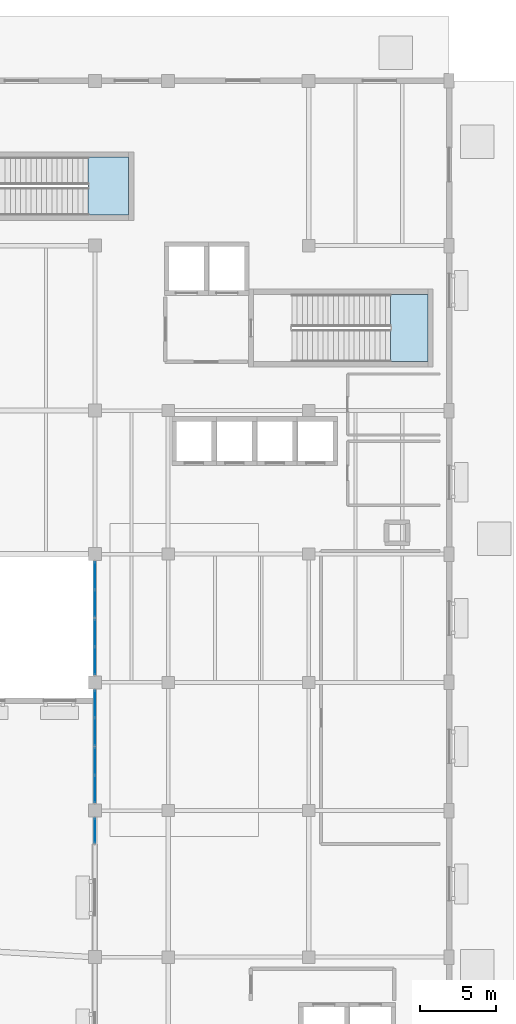
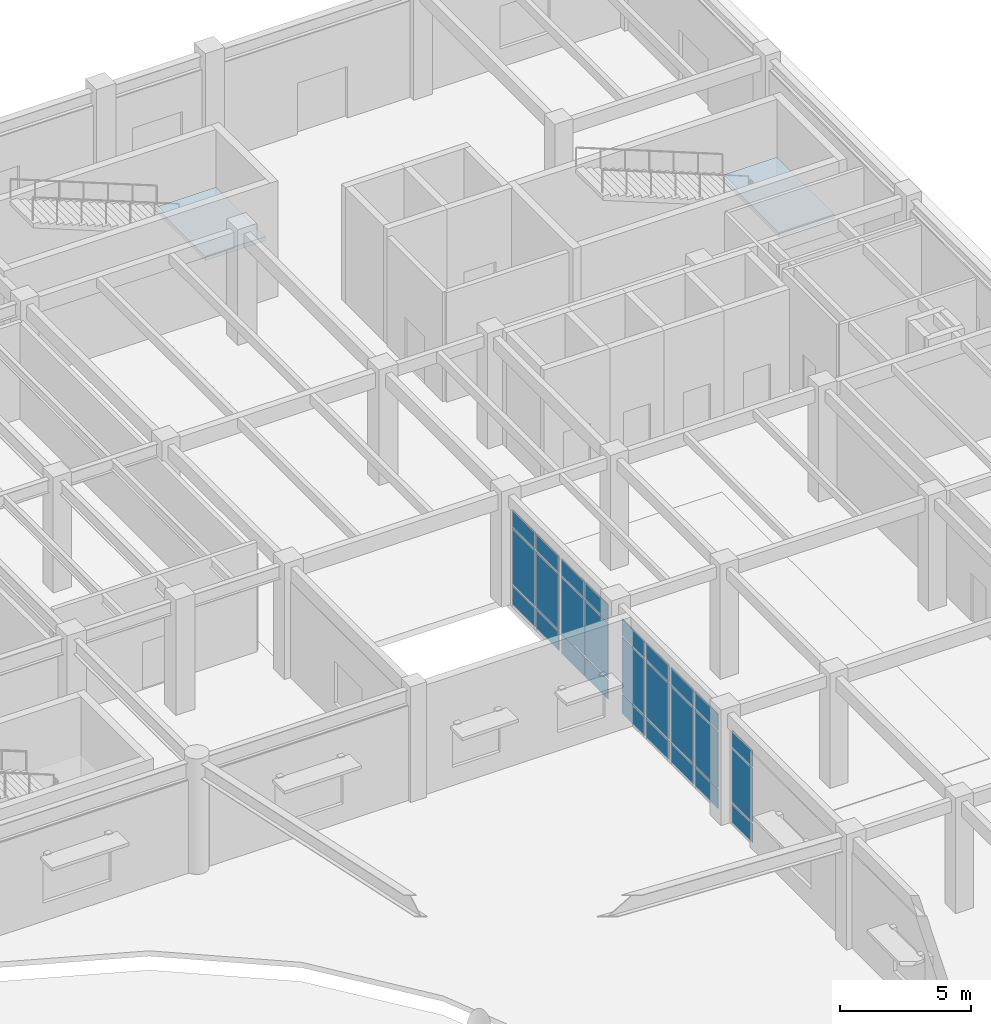
# One storey, part 27 of 54: 27 plates, 2 slabs, 7 elements without a shape of their own.
"""IFC4 building model written with IfcOpenShell, lengths in metres."""

import ifcopenshell
import ifcopenshell.guid

model = None  # the IFC model being written
_history = None  # IfcOwnerHistory: only IFC2X3 demands one
_inside = {}  # id of a spatial element -> (the spatial element, [elements in it])
_under = {}  # id of a project, library or spatial element -> (it, [spatial elements below it])
_declared = {}  # id of a project -> (the project, [libraries it declares])
_typed = {}  # id of a type object -> (the type object, [elements of that type])
_made_of = {}  # id of a material, layer set ... -> (it, [elements and type objects made of it])


def new_model(schema):
    """Start an empty IFC model of exactly this schema.

    Asked for "IFC4X3", IfcOpenShell would pick the latest addendum, in which some entities
    have other attributes; the version numbers below select the first issue.
    IFC2X3 requires an IfcOwnerHistory on every rooted entity: one is made here for all.
    """
    global model, _history
    if schema == "IFC4X3":
        model = ifcopenshell.file(schema_version=(4, 3, 0, 0))
    else:
        model = ifcopenshell.file(schema=schema)
    _inside.clear()
    _under.clear()
    _declared.clear()
    _typed.clear()
    _made_of.clear()
    _history = None
    if model.schema == "IFC2X3":
        org = make("IfcOrganization", Name="unknown")
        user = make(
            "IfcPersonAndOrganization",
            ThePerson=make("IfcPerson", FamilyName="unknown"),
            TheOrganization=org,
        )
        app = make(
            "IfcApplication",
            ApplicationDeveloper=org,
            Version="unknown",
            ApplicationFullName="unknown",
            ApplicationIdentifier="unknown",
        )
        _history = make(
            "IfcOwnerHistory",
            OwningUser=user,
            OwningApplication=app,
            ChangeAction="ADDED",
            CreationDate=0,
        )
    return model


def make(cls, **values):
    """One entity of the class cls with the attributes given. An attribute that is None is left unset."""
    return model.create_entity(
        cls, **{name: value for name, value in values.items() if value is not None}
    )


def rooted(cls, **values):
    """An entity with a GlobalId (a new one), such as an element, a storey or a relation."""
    return make(cls, GlobalId=ifcopenshell.guid.new(), OwnerHistory=_history, **values)


def si_unit(unit_type, name, prefix=None):
    """IfcSIUnit, for example si_unit("LENGTHUNIT", "METRE", prefix="MILLI")."""
    return make("IfcSIUnit", UnitType=unit_type, Prefix=prefix, Name=name)


def assignment(units):
    """IfcUnitAssignment: the units of a project."""
    return None if units is None else make("IfcUnitAssignment", Units=units)


def point(xyz):
    """IfcCartesianPoint."""
    return None if xyz is None else make("IfcCartesianPoint", Coordinates=xyz)


def direction(xyz):
    """IfcDirection."""
    return None if xyz is None else make("IfcDirection", DirectionRatios=xyz)


def frame(location, z_axis=None, x_axis=None):
    """IfcAxis2Placement3D, a coordinate frame: its origin and axes. An axis left out is left unset."""
    return make(
        "IfcAxis2Placement3D",
        Location=point(location),
        Axis=direction(z_axis),
        RefDirection=direction(x_axis),
    )


def frame_2d(location, x_axis=None):
    """IfcAxis2Placement2D, a coordinate frame in the plane: its origin and x axis."""
    return make(
        "IfcAxis2Placement2D", Location=point(location), RefDirection=direction(x_axis)
    )


def origin():
    """The frame at (0, 0, 0) with its axes left unset."""
    return frame((0.0, 0.0, 0.0))


def origin_2d():
    """The frame at (0, 0) in the plane with its x axis left unset."""
    return frame_2d((0.0, 0.0))


def place(relative_to, where):
    """IfcLocalPlacement: puts the frame where relative to a parent placement (None: the world)."""
    return make(
        "IfcLocalPlacement", PlacementRelTo=relative_to, RelativePlacement=where
    )


def context(
    kind, dimensions, precision=None, world=None, true_north=None, identifier=None
):
    """IfcGeometricRepresentationContext, for example the 3D "Model" context."""
    return make(
        "IfcGeometricRepresentationContext",
        ContextIdentifier=identifier,
        ContextType=kind,
        CoordinateSpaceDimension=dimensions,
        Precision=precision,
        WorldCoordinateSystem=world,
        TrueNorth=true_north,
    )


def subcontext(parent, identifier, kind, view, scale=None):
    """IfcGeometricRepresentationSubContext, for example "Body" below "Model"."""
    return make(
        "IfcGeometricRepresentationSubContext",
        ContextIdentifier=identifier,
        ContextType=kind,
        ParentContext=parent,
        TargetScale=scale,
        TargetView=view,
    )


def project(units=None, contexts=None):
    """IfcProject with its units and contexts."""
    return rooted(
        "IfcProject",
        Name="project",
        RepresentationContexts=contexts,
        UnitsInContext=assignment(units),
    )


def spatial(cls, under=None, at=None, **own):
    """A site, building, storey or space (cls), placed at a placement, below another one or the project."""
    s = rooted(cls, ObjectPlacement=at, **own)
    if under is not None:
        _under.setdefault(under.id(), (under, []))[1].append(s)
    return s


def polyline(points):
    """IfcPolyline through the points."""
    return make("IfcPolyline", Points=[point(p) for p in points])


def profile(cls, at=None, kind="AREA", **sizes):
    """A parametric profile (cls). Its sizes go by their IFC names, for example OverallWidth=200.0."""
    return make(cls, ProfileType=kind, Position=at, **sizes)


def rectangle(**sizes):
    """IfcRectangleProfileDef."""
    return profile("IfcRectangleProfileDef", **sizes)


def outline(outer, holes=None, kind="AREA"):
    """IfcArbitraryClosedProfileDef: a profile drawn as a closed curve; with holes, ...WithVoids."""
    if holes is None:
        return make("IfcArbitraryClosedProfileDef", ProfileType=kind, OuterCurve=outer)
    return make(
        "IfcArbitraryProfileDefWithVoids",
        ProfileType=kind,
        OuterCurve=outer,
        InnerCurves=holes,
    )


def extrude(swept, where, along, depth):
    """IfcExtrudedAreaSolid: the profile swept, set in the frame where, extruded along a direction by depth."""
    return make(
        "IfcExtrudedAreaSolid",
        SweptArea=swept,
        Position=where,
        ExtrudedDirection=direction(along),
        Depth=depth,
    )


def shape(context_of_items, identifier, shape_type, items):
    """IfcShapeRepresentation: the items that make up one representation, for example the "Body"."""
    return make(
        "IfcShapeRepresentation",
        ContextOfItems=context_of_items,
        RepresentationIdentifier=identifier,
        RepresentationType=shape_type,
        Items=items,
    )


def material(Name=None, Category=None):
    """IfcMaterial."""
    return make("IfcMaterial", Name=Name, Category=Category)


def layer(
    of_material, thickness, ventilated=None, Name=None, Category=None, Priority=None
):
    """IfcMaterialLayer: one layer of a wall or slab, of a material (None: an air gap)."""
    return make(
        "IfcMaterialLayer",
        Material=of_material,
        LayerThickness=thickness,
        IsVentilated=ventilated,
        Name=Name,
        Category=Category,
        Priority=Priority,
    )


def layer_set(layers, Name=None):
    """IfcMaterialLayerSet."""
    return make("IfcMaterialLayerSet", MaterialLayers=layers, LayerSetName=Name)


def made_of(thing, what):
    """Note that an element or type object is made of a material, layer set ...; save() writes the relation."""
    if what is not None:
        _made_of.setdefault(what.id(), (what, []))[1].append(thing)
    return thing


def type_object(cls, material=None, **own):
    """A type object (cls), such as IfcWallType, which elements share."""
    return made_of(rooted(cls, **own), material)


def element(
    cls,
    number,
    at=None,
    inside=None,
    cuts=None,
    type_object=None,
    material=None,
    context=None,
    identifier="Body",
    shape_type=None,
    held_by="IfcProductDefinitionShape",
    body=None,
    shapes=None,
    **own,
):
    """One element of the class cls, such as IfcWall. Its Tag is "e" and its number.

    at: its placement. inside: the storey or other place that contains it. cuts: it is an
    opening in that element (IfcRelVoidsElement). A single representation is given by context,
    identifier, shape_type and body (its items); several are given by shapes. held_by: the class
    of the entity that holds the representations. save() writes the other relations.
    """
    e = rooted(cls, Tag="e%d" % number, ObjectPlacement=at, **own)
    if body is not None:
        shapes = [shape(context, identifier, shape_type, body)]
    if shapes is not None:
        e.Representation = make(held_by, Representations=shapes)
    if inside is not None:
        _inside.setdefault(inside.id(), (inside, []))[1].append(e)
    if cuts is not None:
        rooted(
            "IfcRelVoidsElement", RelatingBuildingElement=cuts, RelatedOpeningElement=e
        )
    if type_object is not None:
        _typed.setdefault(type_object.id(), (type_object, []))[1].append(e)
    return made_of(e, material)


def aggregate(whole, parts):
    """IfcRelAggregates: a whole, such as a stair, and the parts it consists of."""
    return rooted("IfcRelAggregates", RelatingObject=whole, RelatedObjects=parts)


def save(model, path):
    """Write the relations noted so far, then the file.

    IfcRelAggregates (storeys below a building ...), IfcRelContainedInSpatialStructure (elements
    in a storey), IfcRelDefinesByType, IfcRelAssociatesMaterial and IfcRelDeclares: one each for
    every whole, place, type object, material and project.
    """
    for whole, parts in _under.values():
        aggregate(whole, parts)
    for where, things in _inside.values():
        rooted(
            "IfcRelContainedInSpatialStructure",
            RelatedElements=things,
            RelatingStructure=where,
        )
    for kind, things in _typed.values():
        rooted("IfcRelDefinesByType", RelatedObjects=things, RelatingType=kind)
    for what, things in _made_of.values():
        rooted("IfcRelAssociatesMaterial", RelatedObjects=things, RelatingMaterial=what)
    for by, libraries in _declared.values():
        rooted("IfcRelDeclares", RelatingContext=by, RelatedDefinitions=libraries)
    model.write(path)


model = new_model("IFC4")

# Units and contexts
model_context = context("Model", 3, precision=1e-05, world=origin(), true_north=direction((0.0, 1.0)))
body_context = subcontext(model_context, "Body", "Model", "MODEL_VIEW")
ifc_project = project(units=[si_unit("LENGTHUNIT", "METRE"), si_unit("AREAUNIT", "SQUARE_METRE"), si_unit("VOLUMEUNIT", "CUBIC_METRE"), si_unit("PLANEANGLEUNIT", "RADIAN"), si_unit("MASSUNIT", "GRAM", prefix="KILO")], contexts=[model_context])

# Site, building, storey
site_placement = place(None, origin())
site = spatial("IfcSite", under=ifc_project, at=site_placement, CompositionType="ELEMENT")
building_placement = place(site_placement, origin())
building = spatial("IfcBuilding", under=site, at=building_placement, Name="Veldera Park Congress Hotel", CompositionType="ELEMENT")
storey_placement = place(building_placement, origin())
storey = spatial("IfcBuildingStorey", under=building, at=storey_placement, Name="L00", CompositionType="ELEMENT", Elevation=0.0)

# Curtain wall, plates
ifc_material_1 = material(Name="Low-E Triple Insulating Glass Unit (SHGC 0.22)", Category="glass")
curtain_wall_type = type_object("IfcCurtainWallType", Name="CW-HTL", PredefinedType="NOTDEFINED", material=ifc_material_1)
curtain_wall_1_placement = place(storey_placement, origin())
curtain_wall_1 = element("IfcCurtainWall", 1, at=curtain_wall_1_placement, inside=storey, type_object=curtain_wall_type, Name="L00 Curtain Wall CW3-HTLW-L00-085", PredefinedType="NOTDEFINED")
ifc_layer_1 = layer(ifc_material_1, 0.028076171875)
ifc_layer_set_1 = layer_set([ifc_layer_1], Name="Low-E Triple Insulating Glass Unit (SHGC 0.22)")
plate_type = type_object("IfcPlateType", Name="CWP-IGU28", PredefinedType="CURTAIN_PANEL", material=ifc_layer_set_1)
plate_1_placement = place(storey_placement, frame((60.800048828125, 25.586181640625, 0.0751953125), z_axis=(0.0, 0.0, 1.0), x_axis=(0.0, -1.0, 0.0)))
plate_1 = element("IfcPlate", 2, at=plate_1_placement, type_object=plate_type, Name="CW-HTL panel 1.1", PredefinedType="CURTAIN_PANEL", context=body_context, shape_type="SweptSolid", body=[
    extrude(rectangle(XDim=1.74755859375, YDim=0.028076171875, at=origin_2d()), origin(), (0.0, 0.0, 1.0), 0.887451171875),
])
plate_2_placement = place(storey_placement, frame((60.800048828125, 25.586181640625, 1.037353515625), z_axis=(0.0, 0.0, 1.0), x_axis=(0.0, -1.0, 0.0)))
plate_2 = element("IfcPlate", 3, at=plate_2_placement, type_object=plate_type, Name="CW-HTL panel 1.2", PredefinedType="CURTAIN_PANEL", context=body_context, shape_type="SweptSolid", body=[
    extrude(rectangle(XDim=1.74755859375, YDim=0.028076171875, at=origin_2d()), origin(), (0.0, 0.0, 1.0), 2.60009765625),
])
plate_3_placement = place(storey_placement, frame((60.800048828125, 25.586181640625, 3.71240234375), z_axis=(0.0, 0.0, 1.0), x_axis=(0.0, -1.0, 0.0)))
plate_3 = element("IfcPlate", 4, at=plate_3_placement, type_object=plate_type, Name="CW-HTL panel 1.3", PredefinedType="CURTAIN_PANEL", context=body_context, shape_type="SweptSolid", body=[
    extrude(rectangle(XDim=1.74755859375, YDim=0.028076171875, at=origin_2d()), origin(), (0.0, 0.0, 1.0), 0.78759765625),
])
plate_4_placement = place(storey_placement, frame((60.800048828125, 23.763671875, 0.0751953125), z_axis=(0.0, 0.0, 1.0), x_axis=(0.0, -1.0, 0.0)))
plate_4 = element("IfcPlate", 5, at=plate_4_placement, type_object=plate_type, Name="CW-HTL panel 2.1", PredefinedType="CURTAIN_PANEL", context=body_context, shape_type="SweptSolid", body=[
    extrude(rectangle(XDim=1.74755859375, YDim=0.028076171875, at=origin_2d()), origin(), (0.0, 0.0, 1.0), 0.887451171875),
])
plate_5_placement = place(storey_placement, frame((60.800048828125, 23.763671875, 1.037353515625), z_axis=(0.0, 0.0, 1.0), x_axis=(0.0, -1.0, 0.0)))
plate_5 = element("IfcPlate", 6, at=plate_5_placement, type_object=plate_type, Name="CW-HTL panel 2.2", PredefinedType="CURTAIN_PANEL", context=body_context, shape_type="SweptSolid", body=[
    extrude(rectangle(XDim=1.74755859375, YDim=0.028076171875, at=origin_2d()), origin(), (0.0, 0.0, 1.0), 2.60009765625),
])
plate_6_placement = place(storey_placement, frame((60.800048828125, 23.763671875, 3.71240234375), z_axis=(0.0, 0.0, 1.0), x_axis=(0.0, -1.0, 0.0)))
plate_6 = element("IfcPlate", 7, at=plate_6_placement, type_object=plate_type, Name="CW-HTL panel 2.3", PredefinedType="CURTAIN_PANEL", context=body_context, shape_type="SweptSolid", body=[
    extrude(rectangle(XDim=1.74755859375, YDim=0.028076171875, at=origin_2d()), origin(), (0.0, 0.0, 1.0), 0.78759765625),
])
aggregate(curtain_wall_1, [plate_1, plate_2, plate_3, plate_4, plate_5, plate_6])

curtain_wall_2_placement = place(storey_placement, origin())
curtain_wall_2 = element("IfcCurtainWall", 8, at=curtain_wall_2_placement, inside=storey, type_object=curtain_wall_type, Name="L00 Curtain Wall CW3-HTLW-L00-086", PredefinedType="NOTDEFINED")
plate_7_placement = place(storey_placement, frame((60.800048828125, 21.836181640625, 0.0751953125), z_axis=(0.0, 0.0, 1.0), x_axis=(0.0, -1.0, 0.0)))
plate_7 = element("IfcPlate", 9, at=plate_7_placement, type_object=plate_type, Name="CW-HTL panel 1.1", PredefinedType="CURTAIN_PANEL", context=body_context, shape_type="SweptSolid", body=[
    extrude(rectangle(XDim=1.74755859375, YDim=0.028076171875, at=origin_2d()), origin(), (0.0, 0.0, 1.0), 0.887451171875),
])
plate_8_placement = place(storey_placement, frame((60.800048828125, 21.836181640625, 1.037353515625), z_axis=(0.0, 0.0, 1.0), x_axis=(0.0, -1.0, 0.0)))
plate_8 = element("IfcPlate", 10, at=plate_8_placement, type_object=plate_type, Name="CW-HTL panel 1.2", PredefinedType="CURTAIN_PANEL", context=body_context, shape_type="SweptSolid", body=[
    extrude(rectangle(XDim=1.74755859375, YDim=0.028076171875, at=origin_2d()), origin(), (0.0, 0.0, 1.0), 2.60009765625),
])
plate_9_placement = place(storey_placement, frame((60.800048828125, 21.836181640625, 3.71240234375), z_axis=(0.0, 0.0, 1.0), x_axis=(0.0, -1.0, 0.0)))
plate_9 = element("IfcPlate", 11, at=plate_9_placement, type_object=plate_type, Name="CW-HTL panel 1.3", PredefinedType="CURTAIN_PANEL", context=body_context, shape_type="SweptSolid", body=[
    extrude(rectangle(XDim=1.74755859375, YDim=0.028076171875, at=origin_2d()), origin(), (0.0, 0.0, 1.0), 0.78759765625),
])
plate_10_placement = place(storey_placement, frame((60.800048828125, 20.013671875, 0.0751953125), z_axis=(0.0, 0.0, 1.0), x_axis=(0.0, -1.0, 0.0)))
plate_10 = element("IfcPlate", 12, at=plate_10_placement, type_object=plate_type, Name="CW-HTL panel 2.1", PredefinedType="CURTAIN_PANEL", context=body_context, shape_type="SweptSolid", body=[
    extrude(rectangle(XDim=1.74755859375, YDim=0.028076171875, at=origin_2d()), origin(), (0.0, 0.0, 1.0), 0.887451171875),
])
plate_11_placement = place(storey_placement, frame((60.800048828125, 20.013671875, 1.037353515625), z_axis=(0.0, 0.0, 1.0), x_axis=(0.0, -1.0, 0.0)))
plate_11 = element("IfcPlate", 13, at=plate_11_placement, type_object=plate_type, Name="CW-HTL panel 2.2", PredefinedType="CURTAIN_PANEL", context=body_context, shape_type="SweptSolid", body=[
    extrude(rectangle(XDim=1.74755859375, YDim=0.028076171875, at=origin_2d()), origin(), (0.0, 0.0, 1.0), 2.60009765625),
])
plate_12_placement = place(storey_placement, frame((60.800048828125, 20.013671875, 3.71240234375), z_axis=(0.0, 0.0, 1.0), x_axis=(0.0, -1.0, 0.0)))
plate_12 = element("IfcPlate", 14, at=plate_12_placement, type_object=plate_type, Name="CW-HTL panel 2.3", PredefinedType="CURTAIN_PANEL", context=body_context, shape_type="SweptSolid", body=[
    extrude(rectangle(XDim=1.74755859375, YDim=0.028076171875, at=origin_2d()), origin(), (0.0, 0.0, 1.0), 0.78759765625),
])
aggregate(curtain_wall_2, [plate_7, plate_8, plate_9, plate_10, plate_11, plate_12])

curtain_wall_3_placement = place(storey_placement, origin())
curtain_wall_3 = element("IfcCurtainWall", 15, at=curtain_wall_3_placement, inside=storey, type_object=curtain_wall_type, Name="L00 Curtain Wall CW3-HTLW-L00-087", PredefinedType="NOTDEFINED")
plate_13_placement = place(storey_placement, frame((60.800048828125, 17.186279296875, 0.0751953125), z_axis=(0.0, 0.0, 1.0), x_axis=(0.0, -1.0, 0.0)))
plate_13 = element("IfcPlate", 16, at=plate_13_placement, type_object=plate_type, Name="CW-HTL panel 1.1", PredefinedType="CURTAIN_PANEL", context=body_context, shape_type="SweptSolid", body=[
    extrude(rectangle(XDim=1.74755859375, YDim=0.028076171875, at=origin_2d()), origin(), (0.0, 0.0, 1.0), 0.887451171875),
])
plate_14_placement = place(storey_placement, frame((60.800048828125, 17.186279296875, 1.037353515625), z_axis=(0.0, 0.0, 1.0), x_axis=(0.0, -1.0, 0.0)))
plate_14 = element("IfcPlate", 17, at=plate_14_placement, type_object=plate_type, Name="CW-HTL panel 1.2", PredefinedType="CURTAIN_PANEL", context=body_context, shape_type="SweptSolid", body=[
    extrude(rectangle(XDim=1.74755859375, YDim=0.028076171875, at=origin_2d()), origin(), (0.0, 0.0, 1.0), 2.60009765625),
])
plate_15_placement = place(storey_placement, frame((60.800048828125, 17.186279296875, 3.71240234375), z_axis=(0.0, 0.0, 1.0), x_axis=(0.0, -1.0, 0.0)))
plate_15 = element("IfcPlate", 18, at=plate_15_placement, type_object=plate_type, Name="CW-HTL panel 1.3", PredefinedType="CURTAIN_PANEL", context=body_context, shape_type="SweptSolid", body=[
    extrude(rectangle(XDim=1.74755859375, YDim=0.028076171875, at=origin_2d()), origin(), (0.0, 0.0, 1.0), 0.78759765625),
])
plate_16_placement = place(storey_placement, frame((60.800048828125, 15.36376953125, 0.0751953125), z_axis=(0.0, 0.0, 1.0), x_axis=(0.0, -1.0, 0.0)))
plate_16 = element("IfcPlate", 19, at=plate_16_placement, type_object=plate_type, Name="CW-HTL panel 2.1", PredefinedType="CURTAIN_PANEL", context=body_context, shape_type="SweptSolid", body=[
    extrude(rectangle(XDim=1.74755859375, YDim=0.028076171875, at=origin_2d()), origin(), (0.0, 0.0, 1.0), 0.887451171875),
])
plate_17_placement = place(storey_placement, frame((60.800048828125, 15.36376953125, 1.037353515625), z_axis=(0.0, 0.0, 1.0), x_axis=(0.0, -1.0, 0.0)))
plate_17 = element("IfcPlate", 20, at=plate_17_placement, type_object=plate_type, Name="CW-HTL panel 2.2", PredefinedType="CURTAIN_PANEL", context=body_context, shape_type="SweptSolid", body=[
    extrude(rectangle(XDim=1.74755859375, YDim=0.028076171875, at=origin_2d()), origin(), (0.0, 0.0, 1.0), 2.60009765625),
])
plate_18_placement = place(storey_placement, frame((60.800048828125, 15.36376953125, 3.71240234375), z_axis=(0.0, 0.0, 1.0), x_axis=(0.0, -1.0, 0.0)))
plate_18 = element("IfcPlate", 21, at=plate_18_placement, type_object=plate_type, Name="CW-HTL panel 2.3", PredefinedType="CURTAIN_PANEL", context=body_context, shape_type="SweptSolid", body=[
    extrude(rectangle(XDim=1.74755859375, YDim=0.028076171875, at=origin_2d()), origin(), (0.0, 0.0, 1.0), 0.78759765625),
])
aggregate(curtain_wall_3, [plate_13, plate_14, plate_15, plate_16, plate_17, plate_18])

curtain_wall_4_placement = place(storey_placement, origin())
curtain_wall_4 = element("IfcCurtainWall", 22, at=curtain_wall_4_placement, inside=storey, type_object=curtain_wall_type, Name="L00 Curtain Wall CW3-HTLW-L00-088", PredefinedType="NOTDEFINED")
plate_19_placement = place(storey_placement, frame((60.800048828125, 13.436279296875, 0.0751953125), z_axis=(0.0, 0.0, 1.0), x_axis=(0.0, -1.0, 0.0)))
plate_19 = element("IfcPlate", 23, at=plate_19_placement, type_object=plate_type, Name="CW-HTL panel 1.1", PredefinedType="CURTAIN_PANEL", context=body_context, shape_type="SweptSolid", body=[
    extrude(rectangle(XDim=1.74755859375, YDim=0.028076171875, at=origin_2d()), origin(), (0.0, 0.0, 1.0), 0.887451171875),
])
plate_20_placement = place(storey_placement, frame((60.800048828125, 13.436279296875, 1.037353515625), z_axis=(0.0, 0.0, 1.0), x_axis=(0.0, -1.0, 0.0)))
plate_20 = element("IfcPlate", 24, at=plate_20_placement, type_object=plate_type, Name="CW-HTL panel 1.2", PredefinedType="CURTAIN_PANEL", context=body_context, shape_type="SweptSolid", body=[
    extrude(rectangle(XDim=1.74755859375, YDim=0.028076171875, at=origin_2d()), origin(), (0.0, 0.0, 1.0), 2.60009765625),
])
plate_21_placement = place(storey_placement, frame((60.800048828125, 13.436279296875, 3.71240234375), z_axis=(0.0, 0.0, 1.0), x_axis=(0.0, -1.0, 0.0)))
plate_21 = element("IfcPlate", 25, at=plate_21_placement, type_object=plate_type, Name="CW-HTL panel 1.3", PredefinedType="CURTAIN_PANEL", context=body_context, shape_type="SweptSolid", body=[
    extrude(rectangle(XDim=1.74755859375, YDim=0.028076171875, at=origin_2d()), origin(), (0.0, 0.0, 1.0), 0.78759765625),
])
plate_22_placement = place(storey_placement, frame((60.800048828125, 11.61376953125, 0.0751953125), z_axis=(0.0, 0.0, 1.0), x_axis=(0.0, -1.0, 0.0)))
plate_22 = element("IfcPlate", 26, at=plate_22_placement, type_object=plate_type, Name="CW-HTL panel 2.1", PredefinedType="CURTAIN_PANEL", context=body_context, shape_type="SweptSolid", body=[
    extrude(rectangle(XDim=1.74755859375, YDim=0.028076171875, at=origin_2d()), origin(), (0.0, 0.0, 1.0), 0.887451171875),
])
plate_23_placement = place(storey_placement, frame((60.800048828125, 11.61376953125, 1.037353515625), z_axis=(0.0, 0.0, 1.0), x_axis=(0.0, -1.0, 0.0)))
plate_23 = element("IfcPlate", 27, at=plate_23_placement, type_object=plate_type, Name="CW-HTL panel 2.2", PredefinedType="CURTAIN_PANEL", context=body_context, shape_type="SweptSolid", body=[
    extrude(rectangle(XDim=1.74755859375, YDim=0.028076171875, at=origin_2d()), origin(), (0.0, 0.0, 1.0), 2.60009765625),
])
plate_24_placement = place(storey_placement, frame((60.800048828125, 11.61376953125, 3.71240234375), z_axis=(0.0, 0.0, 1.0), x_axis=(0.0, -1.0, 0.0)))
plate_24 = element("IfcPlate", 28, at=plate_24_placement, type_object=plate_type, Name="CW-HTL panel 2.3", PredefinedType="CURTAIN_PANEL", context=body_context, shape_type="SweptSolid", body=[
    extrude(rectangle(XDim=1.74755859375, YDim=0.028076171875, at=origin_2d()), origin(), (0.0, 0.0, 1.0), 0.78759765625),
])
aggregate(curtain_wall_4, [plate_19, plate_20, plate_21, plate_22, plate_23, plate_24])

curtain_wall_5_placement = place(storey_placement, origin())
curtain_wall_5 = element("IfcCurtainWall", 29, at=curtain_wall_5_placement, inside=storey, type_object=curtain_wall_type, Name="L00 Curtain Wall CW3-HTLW-L00-089", PredefinedType="NOTDEFINED")
plate_25_placement = place(storey_placement, frame((60.800048828125, 8.875, 0.0751953125), z_axis=(0.0, 0.0, 1.0), x_axis=(0.0, -1.0, 0.0)))
plate_25 = element("IfcPlate", 30, at=plate_25_placement, type_object=plate_type, Name="CW-HTL panel 1.1", PredefinedType="CURTAIN_PANEL", context=body_context, shape_type="SweptSolid", body=[
    extrude(rectangle(XDim=1.570068359375, YDim=0.028076171875, at=origin_2d()), origin(), (0.0, 0.0, 1.0), 0.887451171875),
])
plate_26_placement = place(storey_placement, frame((60.800048828125, 8.875, 1.03759765625), z_axis=(0.0, 0.0, 1.0), x_axis=(0.0, -1.0, 0.0)))
plate_26 = element("IfcPlate", 31, at=plate_26_placement, type_object=plate_type, Name="CW-HTL panel 1.2", PredefinedType="CURTAIN_PANEL", context=body_context, shape_type="SweptSolid", body=[
    extrude(rectangle(XDim=1.570068359375, YDim=0.028076171875, at=origin_2d()), origin(), (0.0, 0.0, 1.0), 2.5),
])
plate_27_placement = place(storey_placement, frame((60.800048828125, 8.875, 3.612548828125), z_axis=(0.0, 0.0, 1.0), x_axis=(0.0, -1.0, 0.0)))
plate_27 = element("IfcPlate", 32, at=plate_27_placement, type_object=plate_type, Name="CW-HTL panel 1.3", PredefinedType="CURTAIN_PANEL", context=body_context, shape_type="SweptSolid", body=[
    extrude(rectangle(XDim=1.570068359375, YDim=0.028076171875, at=origin_2d()), origin(), (0.0, 0.0, 1.0), 0.78759765625),
])
aggregate(curtain_wall_5, [plate_25, plate_26, plate_27])

# Stair, slab
ifc_material_2 = material(Name="Concrete f'c 40 MPa (5,800 psi)", Category="concrete")
stair_type_1 = type_object("IfcStairType", Name="ST1", PredefinedType="HALF_TURN_STAIR", material=ifc_material_2)
stair_1_placement = place(storey_placement, origin())
stair_1 = element("IfcStair", 33, at=stair_1_placement, inside=storey, type_object=stair_type_1, Name="L00 Protected Exit Stair ST1", PredefinedType="HALF_TURN_STAIR")
ifc_layer_2 = layer(ifc_material_2, 0.199951171875)
ifc_layer_set_2 = layer_set([ifc_layer_2], Name="Concrete f'c 40 MPa (5,800 psi)")
slab_type_1 = type_object("IfcSlabType", Name="SLD-ST1", PredefinedType="LANDING", material=ifc_layer_set_2)
slab_1_placement = place(storey_placement, frame((0.0, 0.0, 2.5)))
slab_1 = element("IfcSlab", 34, at=slab_1_placement, type_object=slab_type_1, Name="ST1 landing 1", PredefinedType="LANDING", context=body_context, shape_type="SweptSolid", body=[
    extrude(outline(polyline([(80.14501953125, 39.60009765625), (82.60009765625, 39.60009765625), (82.60009765625, 44.0), (80.14501953125, 44.0), (80.14501953125, 39.60009765625)])), origin(), (0.0, 0.0, 1.0), 0.199951171875),
])
aggregate(stair_1, [slab_1])

stair_type_2 = type_object("IfcStairType", Name="ST3", PredefinedType="HALF_TURN_STAIR", material=ifc_material_2)
stair_2_placement = place(storey_placement, origin())
stair_2 = element("IfcStair", 35, at=stair_2_placement, inside=storey, type_object=stair_type_2, Name="L00 Protected Exit Stair ST3", PredefinedType="HALF_TURN_STAIR")
ifc_layer_3 = layer(ifc_material_2, 0.199951171875)
ifc_layer_set_3 = layer_set([ifc_layer_3], Name="Concrete f'c 40 MPa (5,800 psi)")
slab_type_2 = type_object("IfcSlabType", Name="SLD-ST3", PredefinedType="LANDING", material=ifc_layer_set_3)
slab_2_placement = place(storey_placement, frame((0.0, 0.0, 2.5)))
slab_2 = element("IfcSlab", 36, at=slab_2_placement, type_object=slab_type_2, Name="ST3 landing 1", PredefinedType="LANDING", context=body_context, shape_type="SweptSolid", body=[
    extrude(outline(polyline([(60.344970703125, 49.199951171875), (63.0, 49.199951171875), (63.0, 53.0), (60.344970703125, 53.0), (60.344970703125, 49.199951171875)])), origin(), (0.0, 0.0, 1.0), 0.199951171875),
])
aggregate(stair_2, [slab_2])

save(model, "model.ifc")
